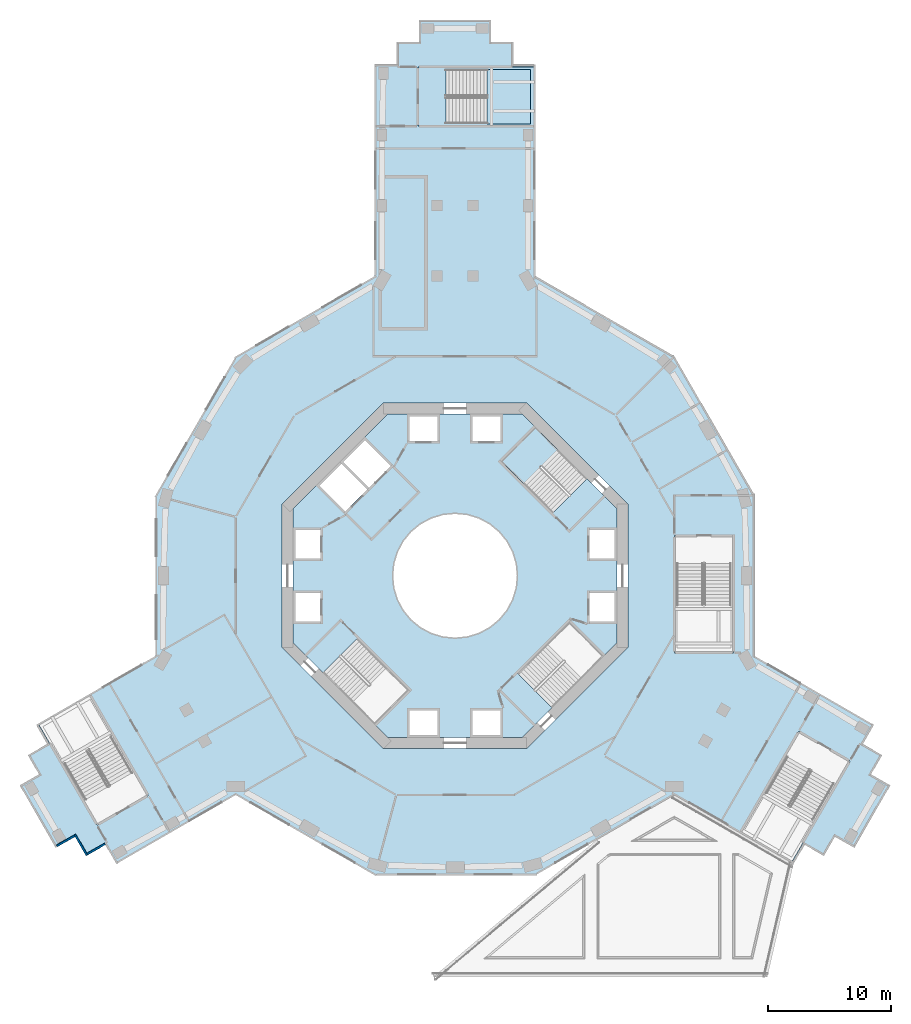
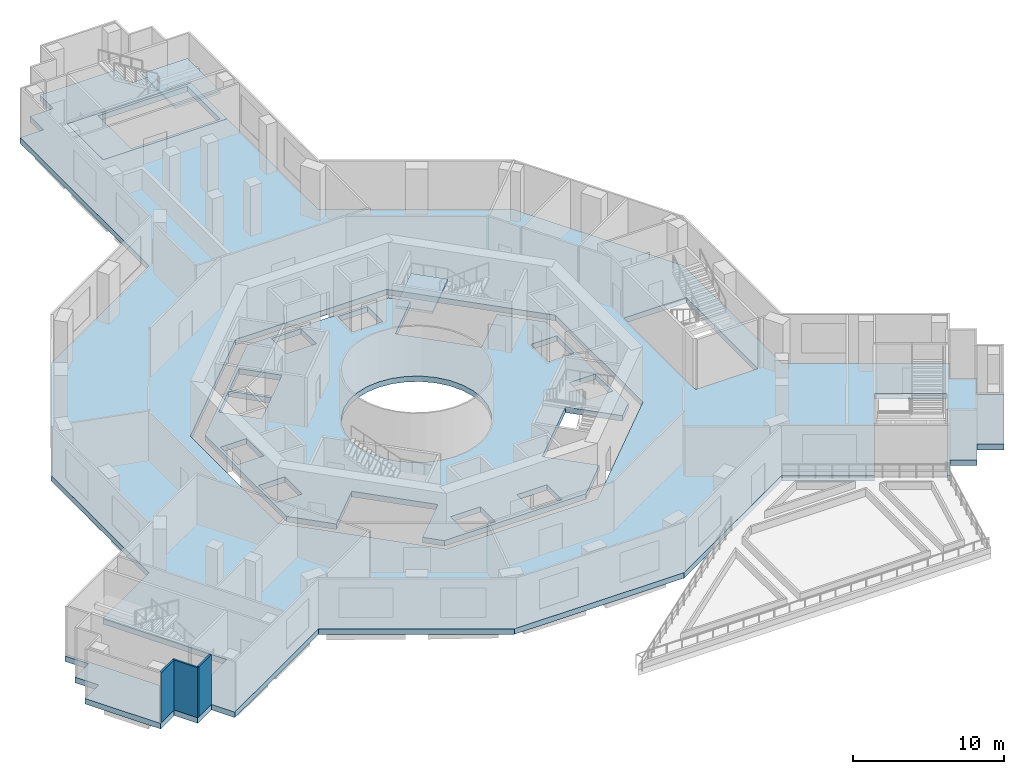
# One storey, part 2 of 21: 5 slabs, 3 walls, 2 elements without a shape of their own.
"""IFC4 building model written with IfcOpenShell, lengths in metres."""

from ifc_helpers import new_model, si_unit, direction, frame, frame_2d, origin, place, context, subcontext, project, spatial, polyline, rectangle, outline, extrude, material, layer, layer_set, type_object, element, aggregate, save


model = new_model("IFC4")

# Units and contexts
model_context = context("Model", 3, precision=1e-05, world=origin(), true_north=direction((0.0, 1.0)))
body_context = subcontext(model_context, "Body", "Model", "MODEL_VIEW")
ifc_project = project(units=[si_unit("LENGTHUNIT", "METRE"), si_unit("AREAUNIT", "SQUARE_METRE"), si_unit("VOLUMEUNIT", "CUBIC_METRE"), si_unit("PLANEANGLEUNIT", "RADIAN"), si_unit("MASSUNIT", "GRAM", prefix="KILO")], contexts=[model_context])

# Site, building, storey
site_placement = place(None, origin())
site = spatial("IfcSite", under=ifc_project, at=site_placement, CompositionType="ELEMENT")
building_placement = place(site_placement, origin())
building = spatial("IfcBuilding", under=site, at=building_placement, Name="Verdalira Terraces Hotel", CompositionType="ELEMENT")
storey_placement = place(building_placement, frame((0.0, 0.0, 19.0)))
storey = spatial("IfcBuildingStorey", under=building, at=storey_placement, Name="L03", CompositionType="ELEMENT", Elevation=19.0)

# Slab
ifc_material_1 = material(Name="Concrete C40", Category="concrete")
ifc_layer_1 = layer(ifc_material_1, 0.449951171875)
ifc_layer_set_1 = layer_set([ifc_layer_1], Name="Core floor slab 450 mm")
slab_type_1 = type_object("IfcSlabType", Name="Core floor slab 450 mm", PredefinedType="FLOOR", material=ifc_layer_set_1)
slab_1_placement = place(storey_placement, frame((0.0, 0.0, -0.449951)))
element("IfcSlab", 1, at=slab_1_placement, inside=storey, type_object=slab_type_1, Name="L03 core floor", PredefinedType="FLOOR", context=body_context, shape_type="SweptSolid", body=[
    extrude(outline(polyline([(-5.42627, 13.100098), (5.42627, 13.100098), (6.491211, 12.034912), (3.719482, 9.263184), (7.905029, 5.077393), (10.677002, 7.849121), (13.100098, 5.42627), (13.100098, -5.42627), (12.034912, -6.491211), (9.263184, -3.719482), (5.077393, -7.905029), (7.849121, -10.677002), (5.42627, -13.100098), (-5.42627, -13.100098), (-6.491211, -12.034912), (-3.719482, -9.263184), (-7.905029, -5.077393), (-10.677002, -7.849121), (-13.100098, -5.42627), (-13.100098, 5.42627), (-5.42627, 13.100098)]), holes=[polyline([(12.899902, -3.699951), (12.899902, -1.399902), (10.899902, -1.399902), (10.899902, -3.699951), (12.899902, -3.699951)]), polyline([(12.899902, 1.399902), (12.899902, 3.699951), (10.899902, 3.699951), (10.899902, 1.399902), (12.899902, 1.399902)]), polyline([(1.399902, 10.899902), (3.699951, 10.899902), (3.699951, 12.899902), (1.399902, 12.899902), (1.399902, 10.899902)]), polyline([(-3.699951, 10.899902), (-1.399902, 10.899902), (-1.399902, 12.899902), (-3.699951, 12.899902), (-3.699951, 10.899902)]), polyline([(-12.899902, 3.699951), (-12.899902, 1.399902), (-10.899902, 1.399902), (-10.899902, 3.699951), (-12.899902, 3.699951)]), polyline([(-12.899902, -1.399902), (-12.899902, -3.699951), (-10.899902, -3.699951), (-10.899902, -1.399902), (-12.899902, -1.399902)]), polyline([(-1.399902, -10.899902), (-3.699951, -10.899902), (-3.699951, -12.899902), (-1.399902, -12.899902), (-1.399902, -10.899902)]), polyline([(3.699951, -10.899902), (1.399902, -10.899902), (1.399902, -12.899902), (3.699951, -12.899902), (3.699951, -10.899902)]), polyline([(-9.051025, 9.192383), (-6.965088, 7.106445), (-5.197266, 8.874268), (-7.283203, 10.960205), (-9.051025, 9.192383)]), polyline([(-9.192383, 9.051025), (-10.960205, 7.283203), (-8.874268, 5.197266), (-7.106445, 6.965088), (-9.192383, 9.051025)]), polyline([(3.5354, 3.5354), (2.777832, 4.157227), (1.91333, 4.619385), (0.975586, 4.903809), (0.0, 5.0), (-0.975586, 4.903809), (-1.91333, 4.619385), (-2.777832, 4.157227), (-3.5354, 3.5354), (-4.157227, 2.777832), (-4.619385, 1.91333), (-4.903809, 0.975586), (-5.0, 0.0), (-4.903809, -0.975586), (-4.619385, -1.91333), (-4.157227, -2.777832), (-3.5354, -3.5354), (-2.777832, -4.157227), (-1.91333, -4.619385), (-0.975586, -4.903809), (0.0, -5.0), (0.975586, -4.903809), (1.91333, -4.619385), (2.777832, -4.157227), (3.5354, -3.5354), (4.157227, -2.777832), (4.619385, -1.91333), (4.903809, -0.975586), (5.0, 0.0), (4.903809, 0.975586), (4.619385, 1.91333), (4.157227, 2.777832), (3.5354, 3.5354)])]), origin(), (0.0, 0.0, 1.0), 0.449951),
])

# Stair, slab
ifc_material_2 = material(Name="Concrete C40", Category="concrete")
stair_type_1 = type_object("IfcStairType", Name="Core stair 26 risers 1900 mm wide", PredefinedType="HALF_TURN_STAIR", material=ifc_material_2)
stair_1_placement = place(storey_placement, origin())
stair_1 = element("IfcStair", 2, at=stair_1_placement, inside=storey, type_object=stair_type_1, Name="L03 Exit stair ST1", PredefinedType="HALF_TURN_STAIR")
ifc_material_3 = material(Name="Concrete C40", Category="concrete")
ifc_layer_2 = layer(ifc_material_3, 0.199951171875)
ifc_layer_set_2 = layer_set([ifc_layer_2], Name="Core stair landing 200 mm")
slab_type_2 = type_object("IfcSlabType", Name="Core stair landing 200 mm", PredefinedType="LANDING", material=ifc_layer_set_2)
slab_2_placement = place(storey_placement, frame((0.0, 0.0, 2.050049)))
slab_2 = element("IfcSlab", 3, at=slab_2_placement, type_object=slab_type_2, Name="ST1 landing 1", PredefinedType="LANDING", context=body_context, shape_type="SweptSolid", body=[
    extrude(outline(polyline([(8.301758, 10.224365), (6.505371, 12.020752), (3.747559, 9.263184), (5.544189, 7.466797), (8.301758, 10.224365)])), origin(), (0.0, 0.0, 1.0), 0.199951),
])
aggregate(stair_1, [slab_2])

# Slab
ifc_material_4 = material(Name="Concrete C40", Category="concrete")
ifc_layer_3 = layer(ifc_material_4, 0.449951171875)
ifc_layer_set_3 = layer_set([ifc_layer_3], Name="Floor slab 450 C40")
slab_type_3 = type_object("IfcSlabType", Name="Floor slab 450 C40", PredefinedType="FLOOR", material=ifc_layer_set_3)
slab_3_placement = place(storey_placement, frame((0.0, 0.0, -0.449951)))
element("IfcSlab", 4, at=slab_3_placement, inside=storey, type_object=slab_type_3, Name="Floor slab L03", PredefinedType="FLOOR", context=body_context, shape_type="SweptSolid", body=[
    extrude(outline(polyline([(33.007324, -13.629639), (33.907227, -12.070801), (24.258301, -6.5), (24.258301, 6.5), (17.758301, 17.758301), (6.5, 24.258301), (6.5, 36.399414), (-3.000488, 36.399414), (-3.000488, 41.200439), (6.5, 41.200439), (6.5, 41.399902), (4.699951, 41.399902), (4.699951, 43.199951), (2.899902, 43.199951), (2.899902, 45.0), (-2.899902, 45.0), (-2.899902, 43.199951), (-4.699951, 43.199951), (-4.699951, 41.399902), (-6.5, 41.399902), (-6.5, 24.258301), (-17.758301, 17.758301), (-24.258301, 6.5), (-24.258301, -6.5), (-29.57666, -9.570557), (-24.826416, -17.79834), (-28.984375, -20.19873), (-33.734619, -11.971191), (-33.907227, -12.070801), (-33.007324, -13.629639), (-34.566162, -14.529785), (-33.666016, -16.088379), (-35.225098, -16.988525), (-32.324951, -22.011475), (-30.766113, -21.111572), (-29.866211, -22.67041), (-28.307373, -21.770264), (-27.407227, -23.329102), (-17.758301, -17.758301), (-6.5, -24.258301), (6.5, -24.258301), (17.758301, -17.758301), (23.07666, -20.828857), (27.826904, -12.601318), (31.984863, -15.001709), (27.234619, -23.229492), (27.407227, -23.329102), (28.307373, -21.770264), (29.866211, -22.67041), (30.766113, -21.111572), (32.324951, -22.011475), (35.225098, -16.988525), (33.666016, -16.088379), (34.566162, -14.529785), (33.007324, -13.629639)]), holes=[polyline([(-5.799072, -14.0), (-14.0, -5.799072), (-14.0, 5.799072), (-5.799072, 14.0), (5.799072, 14.0), (14.0, 5.799072), (14.0, -5.799072), (5.799072, -14.0), (-5.799072, -14.0)]), polyline([(22.558838, -6.250488), (17.757812, -6.250488), (17.757812, 3.250488), (22.558838, 3.250488), (22.558838, -6.250488)])]), origin(), (0.0, 0.0, 1.0), 0.449951),
])

# Stair, slab
ifc_material_5 = material(Name="Concrete C40", Category="concrete")
stair_type_2 = type_object("IfcStairType", Name="Podium stair 26 risers", PredefinedType="HALF_TURN_STAIR", material=ifc_material_5)
stair_2_placement = place(storey_placement, origin())
stair_2 = element("IfcStair", 5, at=stair_2_placement, inside=storey, type_object=stair_type_2, Name="L03 Exit stair PS1", PredefinedType="HALF_TURN_STAIR")
ifc_material_6 = material(Name="Concrete C40", Category="concrete")
ifc_layer_4 = layer(ifc_material_6, 0.199951171875)
ifc_layer_set_4 = layer_set([ifc_layer_4], Name="Podium stair landing 200 mm")
slab_type_4 = type_object("IfcSlabType", Name="Podium stair landing 200 mm", PredefinedType="LANDING", material=ifc_layer_set_4)
slab_4_placement = place(storey_placement, frame((0.0, 0.0, 2.050049)))
slab_4 = element("IfcSlab", 6, at=slab_4_placement, type_object=slab_type_4, Name="PS1 landing 1", PredefinedType="LANDING", context=body_context, shape_type="SweptSolid", body=[
    extrude(outline(polyline([(6.101562, 41.001465), (2.60791, 41.001465), (2.60791, 36.598389), (6.101562, 36.598389), (6.101562, 41.001465)])), origin(), (0.0, 0.0, 1.0), 0.199951),
])
aggregate(stair_2, [slab_4])

# Slab
ifc_material_7 = material(Name="Concrete C40", Category="concrete")
ifc_layer_5 = layer(ifc_material_7, 0.449951171875)
ifc_layer_set_5 = layer_set([ifc_layer_5], Name="Stair enclosure floor slab 450 mm")
slab_type_5 = type_object("IfcSlabType", Name="Stair enclosure floor slab 450 mm", PredefinedType="FLOOR", material=ifc_layer_set_5)
slab_5_placement = place(storey_placement, frame((0.0, 0.0, -0.449951)))
element("IfcSlab", 7, at=slab_5_placement, inside=storey, type_object=slab_type_5, Name="Stair PS1 floor slab", PredefinedType="FLOOR", context=body_context, shape_type="SweptSolid", body=[
    extrude(outline(polyline([(-2.999512, 36.400391), (-2.999512, 41.199463), (6.5, 41.199463), (6.5, 36.400391), (-2.999512, 36.400391)]), holes=[polyline([(-0.746094, 40.996094), (-0.746094, 36.604004), (6.095947, 36.604004), (6.095947, 40.996094), (-0.746094, 40.996094)])]), origin(), (0.0, 0.0, 1.0), 0.449951),
])

# Walls
ifc_material_8 = material(Name="Terracotta cladding on steel stud backup", Category="masonry")
ifc_layer_6 = layer(ifc_material_8, 0.139892578125)
ifc_layer_set_6 = layer_set([ifc_layer_6], Name="Terracotta clad wall 140 mm")
wall_type = type_object("IfcWallType", Name="Terracotta clad wall 140 mm", PredefinedType="SOLIDWALL", material=ifc_layer_set_6)
wall_1_placement = place(storey_placement, frame((-32.23877, -21.880859, 0.0), z_axis=(0.0, 0.0, 1.0), x_axis=(0.866026406, 0.499998264, 0.0)))
element("IfcWall", 8, at=wall_1_placement, inside=storey, type_object=wall_type, Name="Podium facade wall", PredefinedType="SOLIDWALL", context=body_context, shape_type="SweptSolid", body=[
    extrude(rectangle(XDim=1.660156, YDim=0.139893, at=frame_2d((0.830078, 0.0))), origin(), (0.0, 0.0, 1.0), 4.050049),
])
wall_2_placement = place(storey_placement, frame((-30.775391, -20.955078, 0.0), z_axis=(0.0, 0.0, 1.0), x_axis=(0.499969368, -0.866043088, 0.0)))
element("IfcWall", 9, at=wall_2_placement, inside=storey, type_object=wall_type, Name="Podium facade wall", PredefinedType="SOLIDWALL", context=body_context, shape_type="SweptSolid", body=[
    extrude(rectangle(XDim=1.939941, YDim=0.139893, at=frame_2d((0.969971, 0.0))), origin(), (0.0, 0.0, 1.0), 4.050049),
])
wall_3_placement = place(storey_placement, frame((-29.779785, -22.539795, 0.0), z_axis=(0.0, 0.0, 1.0), x_axis=(0.865989634, 0.500061949, 0.0)))
element("IfcWall", 10, at=wall_3_placement, inside=storey, type_object=wall_type, Name="Podium facade wall", PredefinedType="SOLIDWALL", context=body_context, shape_type="SweptSolid", body=[
    extrude(rectangle(XDim=1.659912, YDim=0.139893, at=frame_2d((0.830078, 0.0))), origin(), (0.0, 0.0, 1.0), 4.050049),
])

save(model, "model.ifc")
